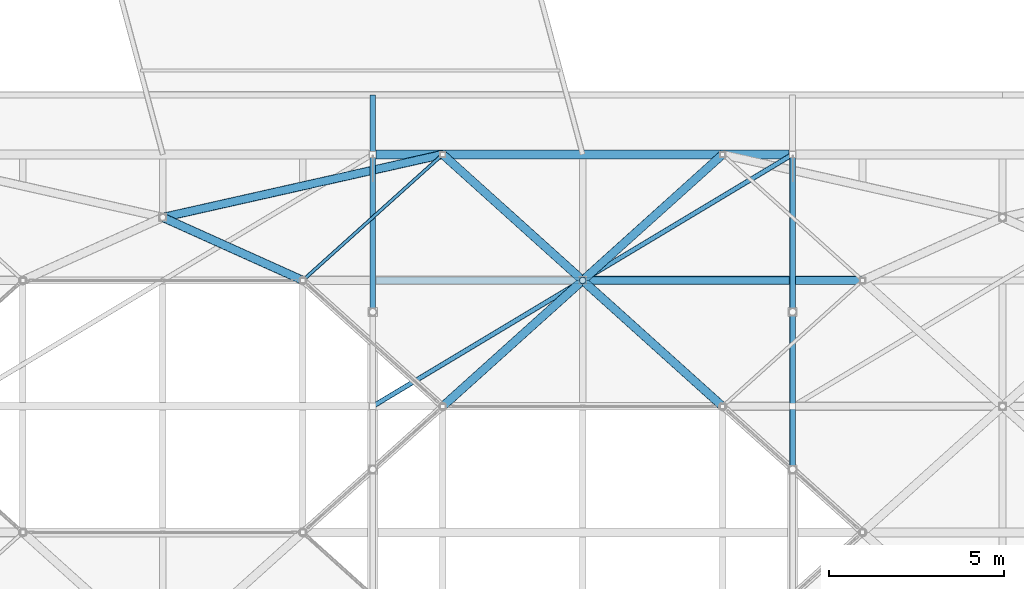
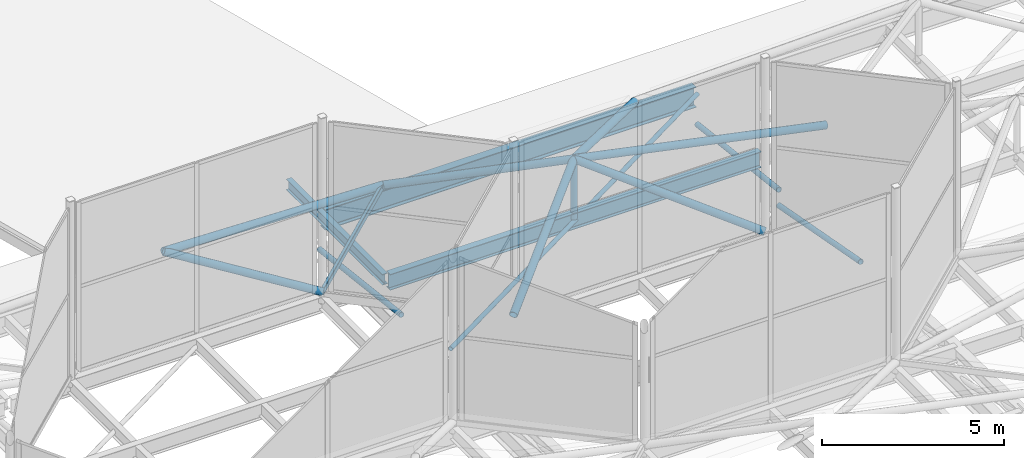
# One storey, part 108 of 239: 12 members, 4 beams.
"""IFC4 building model written with IfcOpenShell, lengths in metres."""

from ifc_helpers import new_model, si_unit, direction, frame, origin, origin_2d, place, context, subcontext, project, spatial, hollow_rectangle, hollow_circle, i_section, extrude, material, material_profile, profile_set, type_object, element, save


model = new_model("IFC4")

# Units and contexts
model_context = context("Model", 3, precision=1e-05, world=origin(), true_north=direction((0.0, 1.0)))
body_context = subcontext(model_context, "Body", "Model", "MODEL_VIEW")
ifc_project = project(units=[si_unit("LENGTHUNIT", "METRE"), si_unit("AREAUNIT", "SQUARE_METRE"), si_unit("VOLUMEUNIT", "CUBIC_METRE"), si_unit("PLANEANGLEUNIT", "RADIAN"), si_unit("MASSUNIT", "GRAM", prefix="KILO")], contexts=[model_context])

# Site, building, storey
site_placement = place(None, origin())
site = spatial("IfcSite", under=ifc_project, at=site_placement, CompositionType="ELEMENT")
building_placement = place(site_placement, origin())
building = spatial("IfcBuilding", under=site, at=building_placement, Name="Dunvalen Ferry Terminal", CompositionType="ELEMENT")
storey_placement = place(building_placement, frame((0.0, 0.0, 9.840087890625)))
storey = spatial("IfcBuildingStorey", under=building, at=storey_placement, Name="L02", CompositionType="ELEMENT", Elevation=9.840087890625)

# Beams
ifc_material = material(Name="Steel S355", Category="steel")
ifc_material_profile_1 = material_profile(ifc_material, i_section(OverallWidth=0.169921875, OverallDepth=0.360107421875, WebThickness=0.008056640625, FlangeThickness=0.0126953125, FilletRadius=0.01806640625, at=origin_2d()), Name="Steel S355")
ifc_profile_set_1 = profile_set([ifc_material_profile_1], Name="Steel S355")
beam_type_1 = type_object("IfcBeamType", Name="STR-BM-IPE360", PredefinedType="BEAM", material=ifc_profile_set_1)
beam_1_placement = place(storey_placement, frame((36.0, 82.800048828125, 0.81982421875), z_axis=(0.0, 1.0, 0.0), x_axis=(-1.0, 0.0, 0.0)))
element("IfcBeam", 1, at=beam_1_placement, inside=storey, type_object=beam_type_1, Name="Departure Hall North Eave Outrigger 05", PredefinedType="BEAM", context=body_context, shape_type="SweptSolid", body=[
    extrude(i_section(OverallWidth=0.169921875, OverallDepth=0.360107421875, WebThickness=0.008056640625, FlangeThickness=0.0126953125, FilletRadius=0.01806640625, at=origin_2d()), origin(), (0.0, 0.0, 1.0), 5.300048828125),
])
ifc_material_profile_2 = material_profile(ifc_material, hollow_rectangle(XDim=0.10009765625, YDim=0.199951171875, WallThickness=0.008056640625, InnerFilletRadius=0.008056640625, OuterFilletRadius=0.01611328125, at=origin_2d()), Name="Steel S355")
ifc_profile_set_2 = profile_set([ifc_material_profile_2], Name="Steel S355")
beam_type_2 = type_object("IfcBeamType", Name="STR-BM-RHS200", PredefinedType="BEAM", material=ifc_profile_set_2)
beam_2_placement = place(storey_placement, frame((34.0, 82.800048828125, 1.099853515625), z_axis=(0.74330768127, 0.668949692402, 0.0), x_axis=(-0.668949692402, 0.74330768127, 0.0)))
element("IfcBeam", 2, at=beam_2_placement, inside=storey, type_object=beam_type_2, Name="HEX-17 Hexagonal Rim Beam 3", PredefinedType="BEAM", context=body_context, shape_type="SweptSolid", body=[
    extrude(hollow_rectangle(XDim=0.10009765625, YDim=0.199951171875, WallThickness=0.008056640625, InnerFilletRadius=0.008056640625, OuterFilletRadius=0.01611328125, at=origin_2d()), origin(), (0.0, 0.0, 1.0), 5.38134765625),
])
ifc_material_profile_3 = material_profile(ifc_material, i_section(OverallWidth=0.209228515625, OverallDepth=0.533203125, WebThickness=0.010009765625, FlangeThickness=0.015625, FilletRadius=0.0126953125, at=origin_2d()), Name="Steel S355")
ifc_profile_set_3 = profile_set([ifc_material_profile_3], Name="Steel S355")
beam_type_3 = type_object("IfcBeamType", Name="STR-BM-UKB533", PredefinedType="BEAM", material=ifc_profile_set_3)
beam_3_placement = place(storey_placement, frame((36.10009765625, 82.800048828125, 0.7333984375), z_axis=(1.0, 0.0, 0.0), x_axis=(0.0, 1.0, 0.0)))
element("IfcBeam", 3, at=beam_3_placement, inside=storey, type_object=beam_type_3, Name="Departure Hall Spine Girder B3.10", PredefinedType="BEAM", context=body_context, shape_type="SweptSolid", body=[
    extrude(i_section(OverallWidth=0.209228515625, OverallDepth=0.533203125, WebThickness=0.010009765625, FlangeThickness=0.015625, FilletRadius=0.0126953125, at=origin_2d()), origin(), (0.0, 0.0, 1.0), 11.7998046875),
])
ifc_material_profile_4 = material_profile(ifc_material, i_section(OverallWidth=0.253662109375, OverallDepth=0.68359375, WebThickness=0.012451171875, FlangeThickness=0.01904296875, FilletRadius=0.01513671875, at=origin_2d()), Name="Steel S355")
ifc_profile_set_4 = profile_set([ifc_material_profile_4], Name="Steel S355")
beam_type_4 = type_object("IfcBeamType", Name="STR-BM-UKB686", PredefinedType="BEAM", material=ifc_profile_set_4)
beam_4_placement = place(storey_placement, frame((36.10009765625, 86.39990234375, 0.658203125), z_axis=(1.0, 0.0, 0.0), x_axis=(0.0, 1.0, 0.0)))
element("IfcBeam", 4, at=beam_4_placement, inside=storey, type_object=beam_type_4, Name="Departure Hall Spine Girder B3.11", PredefinedType="BEAM", context=body_context, shape_type="SweptSolid", body=[
    extrude(i_section(OverallWidth=0.253662109375, OverallDepth=0.68359375, WebThickness=0.012451171875, FlangeThickness=0.01904296875, FilletRadius=0.01513671875, at=origin_2d()), origin(), (0.0, 0.0, 1.0), 11.7998046875),
])

# Members
ifc_material_profile_5 = material_profile(ifc_material, hollow_circle(Radius=0.06982421875, WallThickness=0.00634765625, at=origin_2d()), Name="Steel S355")
ifc_profile_set_5 = profile_set([ifc_material_profile_5], Name="Steel S355")
member_type_1 = type_object("IfcMemberType", Name="STR-MB-CHS139", PredefinedType="BRACE", material=ifc_profile_set_5)
member_1_placement = place(storey_placement, frame((36.0, 79.199951171875, 0.659912109375), z_axis=(0.857494465041, 0.514493189871, 0.0), x_axis=(-0.514493189871, 0.857494465041, 0.0)))
element("IfcMember", 5, at=member_1_placement, inside=storey, type_object=member_type_1, Name="Departure Hall Roof Wind Brace 3A", PredefinedType="BRACE", context=body_context, shape_type="SweptSolid", body=[
    extrude(hollow_circle(Radius=0.06982421875, WallThickness=0.00634765625, at=origin_2d()), origin(), (0.0, 0.0, 1.0), 13.994140625),
])
ifc_material_profile_6 = material_profile(ifc_material, hollow_circle(Radius=0.084228515625, WallThickness=0.008056640625, at=origin_2d()), Name="Steel S355")
ifc_profile_set_6 = profile_set([ifc_material_profile_6], Name="Steel S355")
member_type_2 = type_object("IfcMemberType", Name="STR-MB-CHS168", PredefinedType="BRACE", material=ifc_profile_set_6)
member_2_placement = place(storey_placement, frame((36.0, 81.89990234375, 0.168701171875), z_axis=(0.0, 0.993166043245, -0.116709941931), x_axis=(-1.0, 0.0, 0.0)))
element("IfcMember", 6, at=member_2_placement, inside=storey, type_object=member_type_2, Name="Departure Hall Arch Web Diagonal 03.8", PredefinedType="BRACE", context=body_context, shape_type="SweptSolid", body=[
    extrude(hollow_circle(Radius=0.084228515625, WallThickness=0.008056640625, at=origin_2d()), origin(), (0.0, 0.0, 1.0), 4.531005859375),
])
member_3_placement = place(storey_placement, frame((48.0, 77.39990234375, 0.474853515625), z_axis=(0.0, 0.983218272848, -0.18243307797), x_axis=(-1.0, 0.0, 0.0)))
element("IfcMember", 7, at=member_3_placement, inside=storey, type_object=member_type_2, Name="Departure Hall Arch Web Diagonal 04.7", PredefinedType="BRACE", context=body_context, shape_type="SweptSolid", body=[
    extrude(hollow_circle(Radius=0.084228515625, WallThickness=0.008056640625, at=origin_2d()), origin(), (0.0, 0.0, 1.0), 4.576904296875),
])
member_4_placement = place(storey_placement, frame((48.0, 81.89990234375, 0.168701171875), z_axis=(0.0, 0.993166043245, -0.116709941931), x_axis=(-1.0, 0.0, 0.0)))
element("IfcMember", 8, at=member_4_placement, inside=storey, type_object=member_type_2, Name="Departure Hall Arch Web Diagonal 04.8", PredefinedType="BRACE", context=body_context, shape_type="SweptSolid", body=[
    extrude(hollow_circle(Radius=0.084228515625, WallThickness=0.008056640625, at=origin_2d()), origin(), (0.0, 0.0, 1.0), 4.531005859375),
])
ifc_material_profile_7 = material_profile(ifc_material, hollow_circle(Radius=0.096923828125, WallThickness=0.008056640625, at=origin_2d()), Name="Steel S355")
ifc_profile_set_7 = profile_set([ifc_material_profile_7], Name="Steel S355")
member_type_3 = type_object("IfcMemberType", Name="STR-MB-CHS193", PredefinedType="STRUT", material=ifc_profile_set_7)
member_5_placement = place(storey_placement, frame((42.0, 82.800048828125, 0.77001953125), z_axis=(0.0, 0.0, 1.0), x_axis=(1.0, 0.0, 0.0)))
element("IfcMember", 9, at=member_5_placement, inside=storey, type_object=member_type_3, Name="HEX-22 Pyramid Apex Strut", PredefinedType="STRUT", context=body_context, shape_type="SweptSolid", body=[
    extrude(hollow_circle(Radius=0.096923828125, WallThickness=0.008056640625, at=origin_2d()), origin(), (0.0, 0.0, 1.0), 1.994873046875),
])
ifc_material_profile_8 = material_profile(ifc_material, hollow_circle(Radius=0.122314453125, WallThickness=0.010009765625, at=origin_2d()), Name="Steel S355")
ifc_profile_set_8 = profile_set([ifc_material_profile_8], Name="Steel S355")
member_type_4 = type_object("IfcMemberType", Name="STR-MB-CHS244", PredefinedType="STRUT", material=ifc_profile_set_8)
member_6_placement = place(storey_placement, frame((34.0, 82.800048828125, 1.099853515625), z_axis=(-0.852560097395, 0.383662451056, 0.354886466323), x_axis=(-0.410373934525, -0.91191733938, 0.0)))
element("IfcMember", 10, at=member_6_placement, inside=storey, type_object=member_type_4, Name="HEX-17 Pyramid Hip Rafter 3", PredefinedType="STRUT", context=body_context, shape_type="SweptSolid", body=[
    extrude(hollow_circle(Radius=0.122314453125, WallThickness=0.010009765625, at=origin_2d()), origin(), (0.0, 0.0, 1.0), 4.691650390625),
])
member_7_placement = place(storey_placement, frame((38.0, 86.39990234375, 1.099853515625), z_axis=(-0.956103315715, -0.21509990367, 0.198993671056), x_axis=(0.21948952406, -0.97561485681, 0.0)))
element("IfcMember", 11, at=member_7_placement, inside=storey, type_object=member_type_4, Name="HEX-17 Pyramid Hip Rafter 4", PredefinedType="STRUT", context=body_context, shape_type="SweptSolid", body=[
    extrude(hollow_circle(Radius=0.122314453125, WallThickness=0.010009765625, at=origin_2d()), origin(), (0.0, 0.0, 1.0), 8.3671875),
])
for number, where, z_axis, x_axis, name in (
    (12, (38.0, 79.199951171875, 1.099853515625), (0.710074680578, 0.639084548328, 0.295575520114), (-0.668974757313, 0.743285123004, 0.0), "HEX-22 Pyramid Hip Rafter 2"),
    (13, (46.0, 79.199951171875, 1.099853515625), (-0.710074680578, 0.639084548328, 0.295575520114), (-0.668974757313, -0.743285123004, 0.0), "HEX-22 Pyramid Hip Rafter 3"),
):
    element("IfcMember", number, at=place(storey_placement, frame(where, z_axis=z_axis, x_axis=x_axis)), inside=storey, type_object=member_type_4, Name=name, PredefinedType="STRUT", context=body_context, shape_type="SweptSolid", body=[
        extrude(hollow_circle(Radius=0.122314453125, WallThickness=0.010009765625, at=origin_2d()), origin(), (0.0, 0.0, 1.0), 5.63330078125),
    ])
member_8_placement = place(storey_placement, frame((50.0, 82.800048828125, 1.099853515625), z_axis=(-0.979020171275, 0.0, 0.203763353518), x_axis=(0.0, -1.0, 0.0)))
element("IfcMember", 14, at=member_8_placement, inside=storey, type_object=member_type_4, Name="HEX-22 Pyramid Hip Rafter 4", PredefinedType="STRUT", context=body_context, shape_type="SweptSolid", body=[
    extrude(hollow_circle(Radius=0.122314453125, WallThickness=0.010009765625, at=origin_2d()), origin(), (0.0, 0.0, 1.0), 8.17138671875),
])
for number, where, z_axis, x_axis, name in (
    (15, (46.0, 86.39990234375, 1.099853515625), (-0.710094348105, -0.639058908863, 0.295583706914), (0.668949692402, -0.74330768127, 0.0), "HEX-22 Pyramid Hip Rafter 5"),
    (16, (38.0, 86.39990234375, 1.099853515625), (0.710094348105, -0.639058908863, 0.295583706914), (0.668949692402, 0.74330768127, 0.0), "HEX-22 Pyramid Hip Rafter 6"),
):
    element("IfcMember", number, at=place(storey_placement, frame(where, z_axis=z_axis, x_axis=x_axis)), inside=storey, type_object=member_type_4, Name=name, PredefinedType="STRUT", context=body_context, shape_type="SweptSolid", body=[
        extrude(hollow_circle(Radius=0.122314453125, WallThickness=0.010009765625, at=origin_2d()), origin(), (0.0, 0.0, 1.0), 5.633056640625),
    ])

save(model, "model.ifc")
